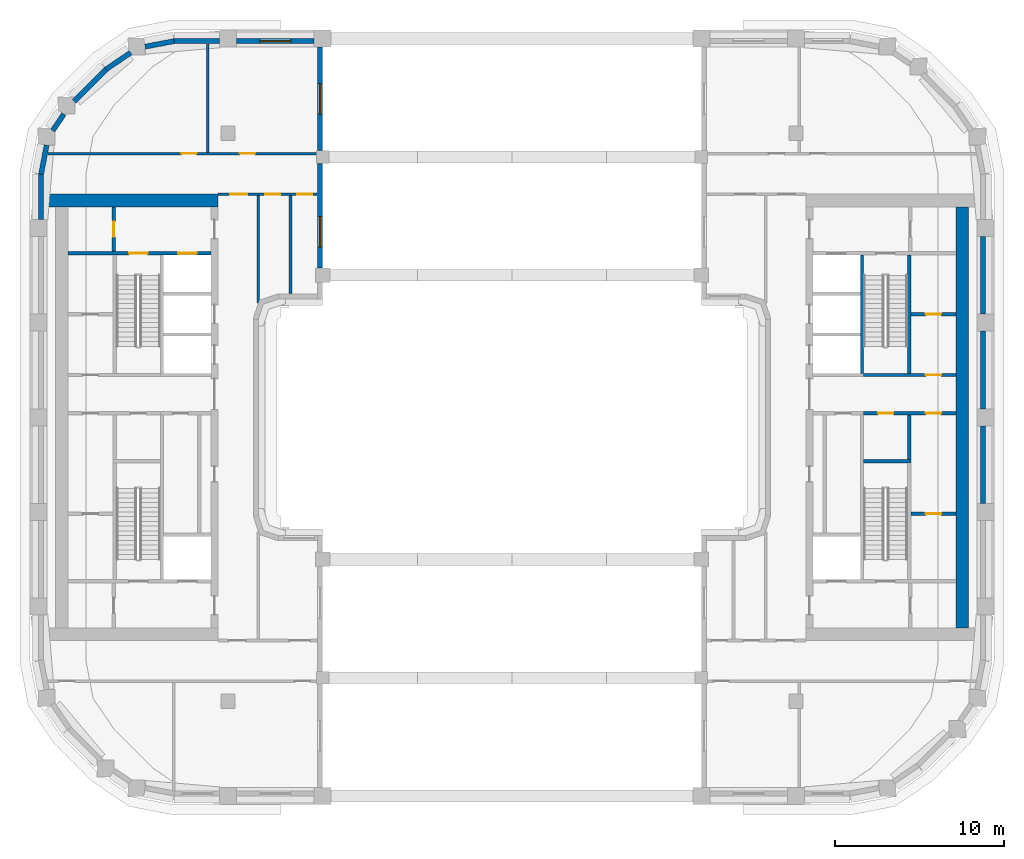
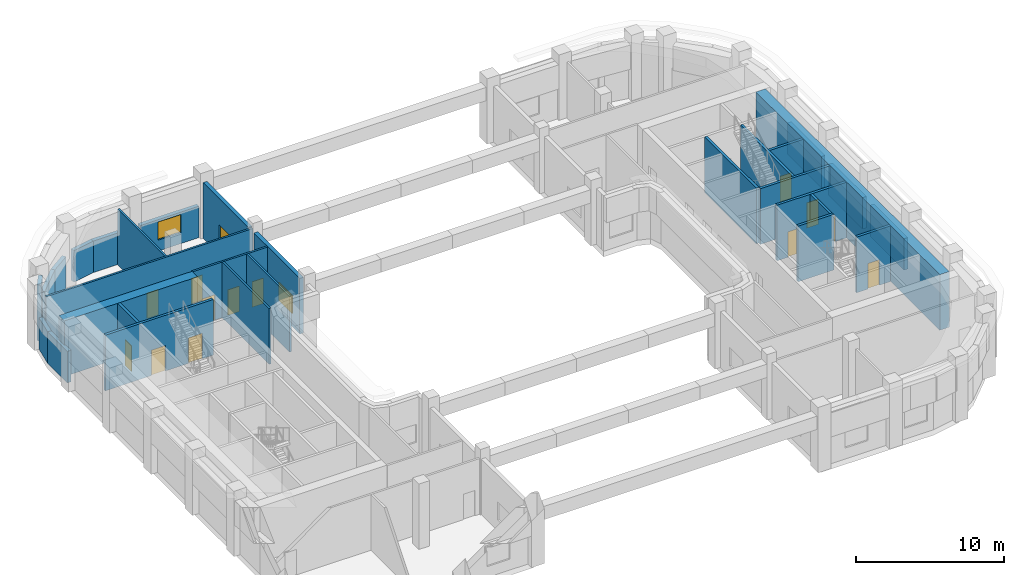
# One storey, part 5 of 14: 30 walls, 13 doors, 3 windows, 16 openings.
"""IFC4 building model written with IfcOpenShell, lengths in metres."""

from ifc_helpers import new_model, si_unit, direction, frame, frame_2d, origin, place, context, subcontext, project, spatial, rectangle, extrude, material, layer, layer_set, type_object, element, fill, save


model = new_model("IFC4")

# Units and contexts
model_context = context("Model", 3, precision=1e-05, world=origin(), true_north=direction((0.0, 1.0)))
body_context = subcontext(model_context, "Body", "Model", "MODEL_VIEW")
ifc_project = project(units=[si_unit("LENGTHUNIT", "METRE"), si_unit("AREAUNIT", "SQUARE_METRE"), si_unit("VOLUMEUNIT", "CUBIC_METRE"), si_unit("PLANEANGLEUNIT", "RADIAN"), si_unit("MASSUNIT", "GRAM", prefix="KILO")], contexts=[model_context])

# Site, building, storey
site_placement = place(None, origin())
site = spatial("IfcSite", under=ifc_project, at=site_placement, CompositionType="ELEMENT")
building_placement = place(site_placement, origin())
building = spatial("IfcBuilding", under=site, at=building_placement, Name="Kiln Ring Residences", CompositionType="ELEMENT")
storey_placement = place(building_placement, frame((0.0, 0.0, 183.5)))
storey = spatial("IfcBuildingStorey", under=building, at=storey_placement, Name="L47", CompositionType="ELEMENT", Elevation=183.5)

# Wall, opening, door
ifc_material_1 = material(Name="Gypsum board on steel studs", Category="steel")
ifc_layer_1 = layer(ifc_material_1, 0.199951171875)
ifc_layer_set_1 = layer_set([ifc_layer_1], Name="CORE-PARTITION-200")
wall_type_1 = type_object("IfcWallType", Name="CORE-PARTITION-200", PredefinedType="PARTITIONING", material=ifc_layer_set_1)
wall_1_placement = place(storey_placement, frame((-23.550048828125, 9.800048828125, 0.0), z_axis=(0.0, 0.0, 1.0), x_axis=(0.0, 1.0, 0.0)))
wall_1 = element("IfcWall", 1, at=wall_1_placement, inside=storey, type_object=wall_type_1, Name="Core partition west L47 4", PredefinedType="PARTITIONING", context=body_context, shape_type="SweptSolid", body=[
    extrude(rectangle(XDim=2.64990234375, YDim=0.199951171875, at=frame_2d((1.324951171875, 0.0))), origin(), (0.0, 0.0, 1.0), 4.60009765625),
])
opening_1_placement = place(wall_1_placement, frame((0.875, 0.0, 0.0)))
opening_1 = element("IfcOpeningElement", 2, at=opening_1_placement, cuts=wall_1, Name="Opening L47-CW09", PredefinedType="OPENING", context=body_context, shape_type="SweptSolid", body=[
    extrude(rectangle(XDim=0.89990234375, YDim=2.10009765625, at=frame_2d((0.449951171875, 1.050048828125))), frame((0.0, 0.10986328125, 0.0), z_axis=(0.0, -1.0, 0.0), x_axis=(1.0, 0.0, 0.0)), (0.0, 0.0, 1.0), 0.219970703125),
])
ifc_material_2 = material(Name="Steel door leaf", Category="steel")
door_type_1 = type_object("IfcDoorType", Name="CORE-DOOR-ROOM", OperationType="SINGLE_SWING_LEFT", PredefinedType="DOOR", material=ifc_material_2)
door_1_placement = place(opening_1_placement, origin())
door_1 = element("IfcDoor", 3, at=door_1_placement, inside=storey, type_object=door_type_1, Name="Fire riser room L47-CW09", OperationType="SINGLE_SWING_LEFT", OverallHeight=2.10009765625, OverallWidth=0.89990234375, PredefinedType="DOOR", context=body_context, shape_type="SweptSolid", body=[
    extrude(rectangle(XDim=0.89990234375, YDim=2.10009765625, at=frame_2d((0.449951171875, 1.050048828125))), frame((0.0, 0.02490234375, 0.0), z_axis=(0.0, -1.0, 0.0), x_axis=(1.0, 0.0, 0.0)), (0.0, 0.0, 1.0), 0.050048828125),
])
fill(opening_1, door_1)

# Wall
wall_2_placement = place(storey_placement, frame((23.5, -2.5, 0.0), z_axis=(0.0, 0.0, 1.0), x_axis=(0.0, 1.0, 0.0)))
element("IfcWall", 4, at=wall_2_placement, inside=storey, type_object=wall_type_1, Name="Core partition east L47 1", PredefinedType="PARTITIONING", context=body_context, shape_type="SweptSolid", body=[
    extrude(rectangle(XDim=2.64990234375, YDim=0.199951171875, at=frame_2d((1.324951171875, 0.0))), origin(), (0.0, 0.0, 1.0), 4.60009765625),
])

# Wall, openings, doors
wall_3_placement = place(storey_placement, frame((20.800048828125, 0.25, 0.0), z_axis=(0.0, 0.0, 1.0), x_axis=(1.0, 0.0, 0.0)))
wall_3 = element("IfcWall", 5, at=wall_3_placement, inside=storey, type_object=wall_type_1, Name="Core partition east L47 2", PredefinedType="PARTITIONING", context=body_context, shape_type="SweptSolid", body=[
    extrude(rectangle(XDim=5.449951171875, YDim=0.199951171875, at=frame_2d((2.72509765625, 0.0))), origin(), (0.0, 0.0, 1.0), 4.60009765625),
])
opening_2_placement = place(wall_3_placement, frame((0.85009765625, 0.0, 0.0)))
opening_2 = element("IfcOpeningElement", 6, at=opening_2_placement, cuts=wall_3, Name="Opening L47-CE14", PredefinedType="OPENING", context=body_context, shape_type="SweptSolid", body=[
    extrude(rectangle(XDim=0.89990234375, YDim=2.10009765625, at=frame_2d((0.449951171875, 1.050048828125))), frame((0.0, 0.10986328125, 0.0), z_axis=(0.0, -1.0, 0.0), x_axis=(1.0, 0.0, 0.0)), (0.0, 0.0, 1.0), 0.219970703125),
])
opening_3_placement = place(wall_3_placement, frame((3.675048828125, 0.0, 0.0)))
opening_3 = element("IfcOpeningElement", 7, at=opening_3_placement, cuts=wall_3, Name="Opening L47-CE16", PredefinedType="OPENING", context=body_context, shape_type="SweptSolid", body=[
    extrude(rectangle(XDim=0.89990234375, YDim=2.10009765625, at=frame_2d((0.449951171875, 1.050048828125))), frame((0.0, 0.10986328125, 0.0), z_axis=(0.0, -1.0, 0.0), x_axis=(1.0, 0.0, 0.0)), (0.0, 0.0, 1.0), 0.219970703125),
])
door_2_placement = place(opening_2_placement, origin())
door_2 = element("IfcDoor", 8, at=door_2_placement, inside=storey, type_object=door_type_1, Name="Housekeeping store L47-CE14", OperationType="SINGLE_SWING_LEFT", OverallHeight=2.10009765625, OverallWidth=0.89990234375, PredefinedType="DOOR", context=body_context, shape_type="SweptSolid", body=[
    extrude(rectangle(XDim=0.89990234375, YDim=2.10009765625, at=frame_2d((0.449951171875, 1.050048828125))), frame((0.0, 0.02490234375, 0.0), z_axis=(0.0, -1.0, 0.0), x_axis=(1.0, 0.0, 0.0)), (0.0, 0.0, 1.0), 0.050048828125),
])
fill(opening_2, door_2)
door_3_placement = place(opening_3_placement, origin())
door_3 = element("IfcDoor", 9, at=door_3_placement, inside=storey, type_object=door_type_1, Name="Battery room L47-CE16", OperationType="SINGLE_SWING_LEFT", OverallHeight=2.10009765625, OverallWidth=0.89990234375, PredefinedType="DOOR", context=body_context, shape_type="SweptSolid", body=[
    extrude(rectangle(XDim=0.89990234375, YDim=2.10009765625, at=frame_2d((0.449951171875, 1.050048828125))), frame((0.0, 0.02490234375, 0.0), z_axis=(0.0, -1.0, 0.0), x_axis=(1.0, 0.0, 0.0)), (0.0, 0.0, 1.0), 0.050048828125),
])
fill(opening_3, door_3)

# Wall, opening, door
wall_4_placement = place(storey_placement, frame((23.60009765625, -5.699951171875, 0.0), z_axis=(0.0, 0.0, 1.0), x_axis=(1.0, 0.0, 0.0)))
wall_4 = element("IfcWall", 10, at=wall_4_placement, inside=storey, type_object=wall_type_1, Name="Core partition east L47 6", PredefinedType="PARTITIONING", context=body_context, shape_type="SweptSolid", body=[
    extrude(rectangle(XDim=2.64990234375, YDim=0.199951171875, at=frame_2d((1.324951171875, 0.0))), origin(), (0.0, 0.0, 1.0), 4.60009765625),
])
opening_4_placement = place(wall_4_placement, frame((0.875, 0.0, 0.0)))
opening_4 = element("IfcOpeningElement", 11, at=opening_4_placement, cuts=wall_4, Name="Opening L47-CE15", PredefinedType="OPENING", context=body_context, shape_type="SweptSolid", body=[
    extrude(rectangle(XDim=0.89990234375, YDim=2.10009765625, at=frame_2d((0.449951171875, 1.050048828125))), frame((0.0, 0.10986328125, 0.0), z_axis=(0.0, -1.0, 0.0), x_axis=(1.0, 0.0, 0.0)), (0.0, 0.0, 1.0), 0.219970703125),
])
door_4_placement = place(opening_4_placement, origin())
door_4 = element("IfcDoor", 12, at=door_4_placement, inside=storey, type_object=door_type_1, Name="Battery room L47-CE15", OperationType="SINGLE_SWING_LEFT", OverallHeight=2.10009765625, OverallWidth=0.89990234375, PredefinedType="DOOR", context=body_context, shape_type="SweptSolid", body=[
    extrude(rectangle(XDim=0.89990234375, YDim=2.10009765625, at=frame_2d((0.449951171875, 1.050048828125))), frame((0.0, 0.02490234375, 0.0), z_axis=(0.0, -1.0, 0.0), x_axis=(1.0, 0.0, 0.0)), (0.0, 0.0, 1.0), 0.050048828125),
])
fill(opening_4, door_4)

wall_5_placement = place(storey_placement, frame((23.60009765625, 6.10009765625, 0.0), z_axis=(0.0, 0.0, 1.0), x_axis=(1.0, 0.0, 0.0)))
wall_5 = element("IfcWall", 13, at=wall_5_placement, inside=storey, type_object=wall_type_1, Name="Core partition east L47 7", PredefinedType="PARTITIONING", context=body_context, shape_type="SweptSolid", body=[
    extrude(rectangle(XDim=2.64990234375, YDim=0.199951171875, at=frame_2d((1.324951171875, 0.0))), origin(), (0.0, 0.0, 1.0), 4.60009765625),
])
opening_5_placement = place(wall_5_placement, frame((0.875, 0.0, 0.0)))
opening_5 = element("IfcOpeningElement", 14, at=opening_5_placement, cuts=wall_5, Name="Opening L47-CE17", PredefinedType="OPENING", context=body_context, shape_type="SweptSolid", body=[
    extrude(rectangle(XDim=0.89990234375, YDim=2.10009765625, at=frame_2d((0.449951171875, 1.050048828125))), frame((0.0, 0.10986328125, 0.0), z_axis=(0.0, -1.0, 0.0), x_axis=(1.0, 0.0, 0.0)), (0.0, 0.0, 1.0), 0.219970703125),
])
door_5_placement = place(opening_5_placement, origin())
door_5 = element("IfcDoor", 15, at=door_5_placement, inside=storey, type_object=door_type_1, Name="Electrical plant room L47-CE17", OperationType="SINGLE_SWING_LEFT", OverallHeight=2.10009765625, OverallWidth=0.89990234375, PredefinedType="DOOR", context=body_context, shape_type="SweptSolid", body=[
    extrude(rectangle(XDim=0.89990234375, YDim=2.10009765625, at=frame_2d((0.449951171875, 1.050048828125))), frame((0.0, 0.02490234375, 0.0), z_axis=(0.0, -1.0, 0.0), x_axis=(1.0, 0.0, 0.0)), (0.0, 0.0, 1.0), 0.050048828125),
])
fill(opening_5, door_5)

# Wall, openings, doors
ifc_material_3 = material(Name="Concrete C40/50", Category="concrete")
ifc_layer_2 = layer(ifc_material_3, 0.199951171875)
ifc_layer_set_2 = layer_set([ifc_layer_2], Name="CORE-WALL-RC200")
wall_type_2 = type_object("IfcWallType", Name="CORE-WALL-RC200", PredefinedType="SHEAR", material=ifc_layer_set_2)
wall_6_placement = place(storey_placement, frame((-17.800048828125, 9.699951171875, 0.0), z_axis=(0.0, 0.0, 1.0), x_axis=(-1.0, 0.0, 0.0)))
wall_6 = element("IfcWall", 16, at=wall_6_placement, inside=storey, type_object=wall_type_2, Name="Core wall west L47 9", PredefinedType="SHEAR", context=body_context, shape_type="SweptSolid", body=[
    extrude(rectangle(XDim=8.449951171875, YDim=0.199951171875, at=frame_2d((4.22509765625, 0.0))), origin(), (0.0, 0.0, 1.0), 4.60009765625),
])
opening_6_placement = place(wall_6_placement, frame((0.85009765625, 0.0, 0.0)))
opening_6 = element("IfcOpeningElement", 17, at=opening_6_placement, cuts=wall_6, Name="Opening L47-CW06", PredefinedType="OPENING", context=body_context, shape_type="SweptSolid", body=[
    extrude(rectangle(XDim=1.10009765625, YDim=2.10009765625, at=frame_2d((0.550048828125, 1.050048828125))), frame((0.0, 0.10986328125, 0.0), z_axis=(0.0, -1.0, 0.0), x_axis=(1.0, 0.0, 0.0)), (0.0, 0.0, 1.0), 0.219970703125),
])
opening_7_placement = place(wall_6_placement, frame((3.75, 0.0, 0.0)))
opening_7 = element("IfcOpeningElement", 18, at=opening_7_placement, cuts=wall_6, Name="Opening L47-CW11", PredefinedType="OPENING", context=body_context, shape_type="SweptSolid", body=[
    extrude(rectangle(XDim=1.10009765625, YDim=2.10009765625, at=frame_2d((0.550048828125, 1.050048828125))), frame((0.0, 0.10986328125, 0.0), z_axis=(0.0, -1.0, 0.0), x_axis=(1.0, 0.0, 0.0)), (0.0, 0.0, 1.0), 0.219970703125),
])
ifc_material_4 = material(Name="Steel door leaf", Category="steel")
door_type_2 = type_object("IfcDoorType", Name="CORE-DOOR-LD", OperationType="DOUBLE_DOOR_SLIDING", PredefinedType="DOOR", material=ifc_material_4)
door_6_placement = place(opening_6_placement, origin())
door_6 = element("IfcDoor", 19, at=door_6_placement, inside=storey, type_object=door_type_2, Name="LD W-FF L47-CW06", OperationType="DOUBLE_DOOR_SLIDING", OverallHeight=2.10009765625, OverallWidth=1.10009765625, PredefinedType="DOOR", context=body_context, shape_type="SweptSolid", body=[
    extrude(rectangle(XDim=1.10009765625, YDim=2.10009765625, at=frame_2d((0.550048828125, 1.050048828125))), frame((0.0, 0.02490234375, 0.0), z_axis=(0.0, -1.0, 0.0), x_axis=(1.0, 0.0, 0.0)), (0.0, 0.0, 1.0), 0.050048828125),
])
fill(opening_6, door_6)
ifc_material_5 = material(Name="Steel door leaf", Category="steel")
door_type_3 = type_object("IfcDoorType", Name="CORE-DOOR-STAIR", OperationType="SINGLE_SWING_LEFT", PredefinedType="DOOR", material=ifc_material_5)
door_7_placement = place(opening_7_placement, origin())
door_7 = element("IfcDoor", 20, at=door_7_placement, inside=storey, type_object=door_type_3, Name="Stair W-STN L47-CW11", OperationType="SINGLE_SWING_LEFT", OverallHeight=2.10009765625, OverallWidth=1.10009765625, PredefinedType="DOOR", context=body_context, shape_type="SweptSolid", body=[
    extrude(rectangle(XDim=1.10009765625, YDim=2.10009765625, at=frame_2d((0.550048828125, 1.050048828125))), frame((0.0, 0.02490234375, 0.0), z_axis=(0.0, -1.0, 0.0), x_axis=(1.0, 0.0, 0.0)), (0.0, 0.0, 1.0), 0.050048828125),
])
fill(opening_7, door_7)

# Wall
wall_7_placement = place(storey_placement, frame((20.699951171875, 2.60009765625, 0.0), z_axis=(0.0, 0.0, 1.0), x_axis=(0.0, 1.0, 0.0)))
element("IfcWall", 21, at=wall_7_placement, inside=storey, type_object=wall_type_2, Name="Core wall east L47 1", PredefinedType="SHEAR", context=body_context, shape_type="SweptSolid", body=[
    extrude(rectangle(XDim=7.0, YDim=0.199951171875, at=frame_2d((3.5, 0.0))), origin(), (0.0, 0.0, 1.0), 4.60009765625),
])

# Wall, opening, door
wall_8_placement = place(storey_placement, frame((20.800048828125, 2.5, 0.0), z_axis=(0.0, 0.0, 1.0), x_axis=(1.0, 0.0, 0.0)))
wall_8 = element("IfcWall", 22, at=wall_8_placement, inside=storey, type_object=wall_type_2, Name="Core wall east L47 3", PredefinedType="SHEAR", context=body_context, shape_type="SweptSolid", body=[
    extrude(rectangle(XDim=5.449951171875, YDim=0.199951171875, at=frame_2d((2.72509765625, 0.0))), origin(), (0.0, 0.0, 1.0), 4.60009765625),
])
opening_8_placement = place(wall_8_placement, frame((3.675048828125, 0.0, 0.0)))
opening_8 = element("IfcOpeningElement", 23, at=opening_8_placement, cuts=wall_8, Name="Opening L47-CE18", PredefinedType="OPENING", context=body_context, shape_type="SweptSolid", body=[
    extrude(rectangle(XDim=0.89990234375, YDim=2.10009765625, at=frame_2d((0.449951171875, 1.050048828125))), frame((0.0, 0.10986328125, 0.0), z_axis=(0.0, -1.0, 0.0), x_axis=(1.0, 0.0, 0.0)), (0.0, 0.0, 1.0), 0.219970703125),
])
door_8_placement = place(opening_8_placement, origin())
door_8 = element("IfcDoor", 24, at=door_8_placement, inside=storey, type_object=door_type_1, Name="Comms room L47-CE18", OperationType="SINGLE_SWING_RIGHT", OverallHeight=2.10009765625, OverallWidth=0.89990234375, PredefinedType="DOOR", context=body_context, shape_type="SweptSolid", body=[
    extrude(rectangle(XDim=0.89990234375, YDim=2.10009765625, at=frame_2d((0.449951171875, 1.050048828125))), frame((0.0, 0.02490234375, 0.0), z_axis=(0.0, -1.0, 0.0), x_axis=(1.0, 0.0, 0.0)), (0.0, 0.0, 1.0), 0.050048828125),
])
fill(opening_8, door_8)

# Walls
wall_9_placement = place(storey_placement, frame((23.5, 2.60009765625, 0.0), z_axis=(0.0, 0.0, 1.0), x_axis=(0.0, 1.0, 0.0)))
element("IfcWall", 25, at=wall_9_placement, inside=storey, type_object=wall_type_2, Name="Core wall east L47 10", PredefinedType="SHEAR", context=body_context, shape_type="SweptSolid", body=[
    extrude(rectangle(XDim=7.0, YDim=0.199951171875, at=frame_2d((3.5, 0.0))), origin(), (0.0, 0.0, 1.0), 4.60009765625),
])
wall_10_placement = place(storey_placement, frame((20.800048828125, -2.60009765625, 0.0), z_axis=(0.0, 0.0, 1.0), x_axis=(1.0, 0.0, 0.0)))
element("IfcWall", 26, at=wall_10_placement, inside=storey, type_object=wall_type_2, Name="Core wall east L47 12", PredefinedType="SHEAR", context=body_context, shape_type="SweptSolid", body=[
    extrude(rectangle(XDim=2.800048828125, YDim=0.199951171875, at=frame_2d((1.39990234375, 0.0))), origin(), (0.0, 0.0, 1.0), 4.60009765625),
])
ifc_material_6 = material(Name="Concrete C60/75", Category="concrete")
ifc_layer_3 = layer(ifc_material_6, 0.75)
ifc_layer_set_3 = layer_set([ifc_layer_3], Name="CORE-WALL-RC750")
wall_type_3 = type_object("IfcWallType", Name="CORE-WALL-RC750", PredefinedType="SHEAR", material=ifc_layer_set_3)
wall_11_placement = place(storey_placement, frame((-17.39990234375, 12.824951171875, 0.0), z_axis=(0.0, 0.0, 1.0), x_axis=(-1.0, 0.0, 0.0)))
element("IfcWall", 27, at=wall_11_placement, inside=storey, type_object=wall_type_3, Name="Core wall west L47 4", PredefinedType="SHEAR", context=body_context, shape_type="SweptSolid", body=[
    extrude(rectangle(XDim=10.400146484375, YDim=0.75, at=frame_2d((5.2001953125, 0.0))), origin(), (0.0, 0.0, 1.0), 4.60009765625),
])
wall_12_placement = place(storey_placement, frame((26.625, -12.449951171875, 0.0), z_axis=(0.0, 0.0, 1.0), x_axis=(0.0, 1.0, 0.0)))
element("IfcWall", 28, at=wall_12_placement, inside=storey, type_object=wall_type_3, Name="Core wall east L47 7", PredefinedType="SHEAR", context=body_context, shape_type="SweptSolid", body=[
    extrude(rectangle(XDim=24.89990234375, YDim=0.75, at=frame_2d((12.449951171875, 0.0))), origin(), (0.0, 0.0, 1.0), 4.60009765625),
])

# Wall, opening, window
ifc_material_7 = material(Name="Brick masonry, dark clay brick", Category="masonry")
ifc_layer_4 = layer(ifc_material_7, 0.300048828125)
ifc_layer_set_4 = layer_set([ifc_layer_4], Name="EW-300 BRICK WALL")
wall_type_4 = type_object("IfcWallType", Name="EW-300 BRICK WALL", PredefinedType="SOLIDWALL", material=ifc_layer_set_4)
wall_13_placement = place(storey_placement, frame((-11.35009765625, 8.824951171875, 0.0), z_axis=(0.0, 0.0, 1.0), x_axis=(0.0, 1.0, 0.0)))
wall_13 = element("IfcWall", 29, at=wall_13_placement, inside=storey, type_object=wall_type_4, Name="Facade wall L47 15", PredefinedType="SOLIDWALL", context=body_context, shape_type="SweptSolid", body=[
    extrude(rectangle(XDim=6.199951171875, YDim=0.300048828125, at=frame_2d((3.10009765625, 0.0))), origin(), (0.0, 0.0, 1.0), 4.60009765625),
])
opening_9_placement = place(wall_13_placement, frame((1.25, 0.0, 0.89990234375)))
opening_9 = element("IfcOpeningElement", 30, at=opening_9_placement, cuts=wall_13, Name="Opening LV1", PredefinedType="OPENING", context=body_context, shape_type="SweptSolid", body=[
    extrude(rectangle(XDim=1.800048828125, YDim=1.5, at=frame_2d((0.89990234375, 0.75))), frame((0.0, 0.159912109375, 0.0), z_axis=(0.0, -1.0, 0.0), x_axis=(1.0, 0.0, 0.0)), (0.0, 0.0, 1.0), 0.320068359375),
])
ifc_material_8 = material(Name="Aluminium louvre", Category="aluminium")
window_type = type_object("IfcWindowType", Name="LOUVRED VENT 1800 x 1500", PartitioningType="SINGLE_PANEL", PredefinedType="WINDOW", material=ifc_material_8)
window_1_placement = place(opening_9_placement, origin())
window_1 = element("IfcWindow", 31, at=window_1_placement, inside=storey, type_object=window_type, Name="Louvred vent L47 6", OverallHeight=1.5, OverallWidth=1.800048828125, PartitioningType="SINGLE_PANEL", PredefinedType="WINDOW", context=body_context, shape_type="SweptSolid", body=[
    extrude(rectangle(XDim=1.800048828125, YDim=1.5, at=frame_2d((0.89990234375, 0.75))), frame((0.0, 0.030029296875, 0.0), z_axis=(0.0, -1.0, 0.0), x_axis=(1.0, 0.0, 0.0)), (0.0, 0.0, 1.0), 0.06005859375),
])
fill(opening_9, window_1)

wall_14_placement = place(storey_placement, frame((-11.35009765625, 15.77490234375, 0.0), z_axis=(0.0, 0.0, 1.0), x_axis=(0.0, 1.0, 0.0)))
wall_14 = element("IfcWall", 32, at=wall_14_placement, inside=storey, type_object=wall_type_4, Name="Facade wall L47 16", PredefinedType="SOLIDWALL", context=body_context, shape_type="SweptSolid", body=[
    extrude(rectangle(XDim=6.125, YDim=0.300048828125, at=frame_2d((3.0625, 0.0))), origin(), (0.0, 0.0, 1.0), 4.60009765625),
])
opening_10_placement = place(wall_14_placement, frame((2.16259765625, 0.0, 0.89990234375)))
opening_10 = element("IfcOpeningElement", 33, at=opening_10_placement, cuts=wall_14, Name="Opening LV1", PredefinedType="OPENING", context=body_context, shape_type="SweptSolid", body=[
    extrude(rectangle(XDim=1.800048828125, YDim=1.5, at=frame_2d((0.89990234375, 0.75))), frame((0.0, 0.159912109375, 0.0), z_axis=(0.0, -1.0, 0.0), x_axis=(1.0, 0.0, 0.0)), (0.0, 0.0, 1.0), 0.320068359375),
])
window_2_placement = place(opening_10_placement, origin())
window_2 = element("IfcWindow", 34, at=window_2_placement, inside=storey, type_object=window_type, Name="Louvred vent L47 7", OverallHeight=1.5, OverallWidth=1.800048828125, PartitioningType="SINGLE_PANEL", PredefinedType="WINDOW", context=body_context, shape_type="SweptSolid", body=[
    extrude(rectangle(XDim=1.800048828125, YDim=1.5, at=frame_2d((0.89990234375, 0.75))), frame((0.0, 0.030029296875, 0.0), z_axis=(0.0, -1.0, 0.0), x_axis=(1.0, 0.0, 0.0)), (0.0, 0.0, 1.0), 0.06005859375),
])
fill(opening_10, window_2)

wall_15_placement = place(storey_placement, frame((-11.699951171875, 22.25, 0.0), z_axis=(0.0, 0.0, 1.0), x_axis=(-1.0, 0.0, 0.0)))
wall_15 = element("IfcWall", 35, at=wall_15_placement, inside=storey, type_object=wall_type_4, Name="Facade wall L47 17", PredefinedType="SOLIDWALL", context=body_context, shape_type="SweptSolid", body=[
    extrude(rectangle(XDim=4.60009765625, YDim=0.300048828125, at=frame_2d((2.300048828125, 0.0))), origin(), (0.0, 0.0, 1.0), 2.60009765625),
])
opening_11_placement = place(wall_15_placement, frame((1.39990234375, 0.0, 0.89990234375)))
opening_11 = element("IfcOpeningElement", 36, at=opening_11_placement, cuts=wall_15, Name="Opening LV1", PredefinedType="OPENING", context=body_context, shape_type="SweptSolid", body=[
    extrude(rectangle(XDim=1.800048828125, YDim=1.5, at=frame_2d((0.89990234375, 0.75))), frame((0.0, 0.159912109375, 0.0), z_axis=(0.0, -1.0, 0.0), x_axis=(1.0, 0.0, 0.0)), (0.0, 0.0, 1.0), 0.320068359375),
])
window_3_placement = place(opening_11_placement, origin())
window_3 = element("IfcWindow", 37, at=window_3_placement, inside=storey, type_object=window_type, Name="Louvred vent L47 8", OverallHeight=1.5, OverallWidth=1.800048828125, PartitioningType="SINGLE_PANEL", PredefinedType="WINDOW", context=body_context, shape_type="SweptSolid", body=[
    extrude(rectangle(XDim=1.800048828125, YDim=1.5, at=frame_2d((0.89990234375, 0.75))), frame((0.0, 0.030029296875, 0.0), z_axis=(0.0, -1.0, 0.0), x_axis=(1.0, 0.0, 0.0)), (0.0, 0.0, 1.0), 0.06005859375),
])
fill(opening_11, window_3)

# Walls
wall_16_placement = place(storey_placement, frame((-17.300048828125, 22.25, 0.0), z_axis=(0.0, 0.0, 1.0), x_axis=(-1.0, 0.0, 0.0)))
element("IfcWall", 38, at=wall_16_placement, inside=storey, type_object=wall_type_4, Name="Facade wall L47 18", PredefinedType="SOLIDWALL", context=body_context, shape_type="SweptSolid", body=[
    extrude(rectangle(XDim=2.699951171875, YDim=0.300048828125, at=frame_2d((1.35009765625, 0.0))), origin(), (0.0, 0.0, 1.0), 2.60009765625),
])
for number, where, z_axis, x_axis, name in (
    (39, (-19.971923828125, 22.252685546875, 0.0), (0.0, 0.0, 1.0), (-0.982284988433, -0.187393173565, 0.0), "Facade wall L47 19"),
    (40, (-22.560302734375, 21.56591796875, 0.0), (0.0, 0.0, 1.0), (-0.82707645233, -0.562089443061, 0.0), "Facade wall L47 20"),
):
    element("IfcWall", number, at=place(storey_placement, frame(where, z_axis=z_axis, x_axis=x_axis)), inside=storey, type_object=wall_type_4, Name=name, PredefinedType="SOLIDWALL", context=body_context, shape_type="SweptSolid", body=[
        extrude(rectangle(XDim=1.756103515625, YDim=0.300048828125, at=frame_2d((0.8779296875, 0.0))), origin(), (0.0, 0.0, 1.0), 2.60009765625),
    ])
wall_17_placement = place(storey_placement, frame((-23.990966796875, 20.596923828125, 0.0), z_axis=(0.0, 0.0, 1.0), x_axis=(-0.707106781187, -0.707106781187, 0.0)))
element("IfcWall", 41, at=wall_17_placement, inside=storey, type_object=wall_type_4, Name="Facade wall L47 21", PredefinedType="SOLIDWALL", context=body_context, shape_type="SweptSolid", body=[
    extrude(rectangle(XDim=2.699951171875, YDim=0.300048828125, at=frame_2d((1.35009765625, 0.0))), origin(), (0.0, 0.0, 1.0), 2.60009765625),
])
wall_18_placement = place(storey_placement, frame((-26.50439453125, 17.933837890625, 0.0), z_axis=(0.0, 0.0, 1.0), x_axis=(-0.562145470373, -0.827038372833, 0.0)))
element("IfcWall", 42, at=wall_18_placement, inside=storey, type_object=wall_type_4, Name="Facade wall L47 22", PredefinedType="SOLIDWALL", context=body_context, shape_type="SweptSolid", body=[
    extrude(rectangle(XDim=1.177001953125, YDim=0.300048828125, at=frame_2d((0.58837890625, 0.0))), origin(), (0.0, 0.0, 1.0), 4.60009765625),
])
wall_19_placement = place(storey_placement, frame((-27.523681640625, 16.096923828125, 0.0), z_axis=(0.0, 0.0, 1.0), x_axis=(-0.187259034321, -0.982310569049, 0.0)))
element("IfcWall", 43, at=wall_19_placement, inside=storey, type_object=wall_type_4, Name="Facade wall L47 23", PredefinedType="SOLIDWALL", context=body_context, shape_type="SweptSolid", body=[
    extrude(rectangle(XDim=1.756103515625, YDim=0.300048828125, at=frame_2d((0.8779296875, 0.0))), origin(), (0.0, 0.0, 1.0), 2.60009765625),
])
wall_20_placement = place(storey_placement, frame((-27.85009765625, 14.39990234375, 0.0), z_axis=(0.0, 0.0, 1.0), x_axis=(0.0, -1.0, 0.0)))
element("IfcWall", 44, at=wall_20_placement, inside=storey, type_object=wall_type_4, Name="Facade wall L47 24", PredefinedType="SOLIDWALL", context=body_context, shape_type="SweptSolid", body=[
    extrude(rectangle(XDim=2.699951171875, YDim=0.300048828125, at=frame_2d((1.35009765625, 0.0))), origin(), (0.0, 0.0, 1.0), 2.60009765625),
])
for number, where, z_axis, x_axis, name in (
    (45, (27.85009765625, -5.10009765625, 0.0), (0.0, 0.0, 1.0), (0.0, 1.0, 0.0), "Facade wall L47 43"),
    (46, (27.85009765625, 0.5, 0.0), (0.0, 0.0, 1.0), (0.0, 1.0, 0.0), "Facade wall L47 44"),
):
    element("IfcWall", number, at=place(storey_placement, frame(where, z_axis=z_axis, x_axis=x_axis)), inside=storey, type_object=wall_type_4, Name=name, PredefinedType="SOLIDWALL", context=body_context, shape_type="SweptSolid", body=[
        extrude(rectangle(XDim=4.60009765625, YDim=0.300048828125, at=frame_2d((2.300048828125, 0.0))), origin(), (0.0, 0.0, 1.0), 2.60009765625),
    ])
wall_21_placement = place(storey_placement, frame((27.85009765625, 6.10009765625, 0.0), z_axis=(0.0, 0.0, 1.0), x_axis=(0.0, 1.0, 0.0)))
element("IfcWall", 47, at=wall_21_placement, inside=storey, type_object=wall_type_4, Name="Facade wall L47 45", PredefinedType="SOLIDWALL", context=body_context, shape_type="SweptSolid", body=[
    extrude(rectangle(XDim=4.599853515625, YDim=0.300048828125, at=frame_2d((2.2998046875, 0.0))), origin(), (0.0, 0.0, 1.0), 2.60009765625),
])

# Wall, openings, doors
ifc_material_9 = material(Name="Brick masonry partition", Category="masonry")
ifc_layer_5 = layer(ifc_material_9, 0.14990234375)
ifc_layer_set_5 = layer_set([ifc_layer_5], Name="PARTITION-150-ei60")
wall_type_5 = type_object("IfcWallType", Name="PARTITION-150-ei60", PredefinedType="PARTITIONING", material=ifc_layer_set_5)
wall_22_placement = place(storey_placement, frame((-17.39990234375, 13.199951171875, 0.0), z_axis=(0.0, 0.0, 1.0), x_axis=(1.0, 0.0, 0.0)))
wall_22 = element("IfcWall", 48, at=wall_22_placement, inside=storey, type_object=wall_type_5, Name="Partition 004", PredefinedType="PARTITIONING", context=body_context, shape_type="SweptSolid", body=[
    extrude(rectangle(XDim=5.8798828125, YDim=0.14990234375, at=frame_2d((2.93994140625, 0.0))), origin(), (0.0, 0.0, 1.0), 4.60009765625),
])
opening_12_placement = place(wall_22_placement, frame((0.75, 0.0, 0.0)))
opening_12 = element("IfcOpeningElement", 49, at=opening_12_placement, cuts=wall_22, Name="Opening L47-D005", PredefinedType="OPENING", context=body_context, shape_type="SweptSolid", body=[
    extrude(rectangle(XDim=1.0, YDim=2.10009765625, at=frame_2d((0.5, 1.050048828125))), frame((0.0, 0.0849609375, 0.0), z_axis=(0.0, -1.0, 0.0), x_axis=(1.0, 0.0, 0.0)), (0.0, 0.0, 1.0), 0.169921875),
])
opening_13_placement = place(wall_22_placement, frame((4.699951171875, 0.0, 0.0)))
opening_13 = element("IfcOpeningElement", 50, at=opening_13_placement, cuts=wall_22, Name="Opening L47-D006", PredefinedType="OPENING", context=body_context, shape_type="SweptSolid", body=[
    extrude(rectangle(XDim=0.89990234375, YDim=2.10009765625, at=frame_2d((0.449951171875, 1.050048828125))), frame((0.0, 0.0849609375, 0.0), z_axis=(0.0, -1.0, 0.0), x_axis=(1.0, 0.0, 0.0)), (0.0, 0.0, 1.0), 0.169921875),
])
opening_14_placement = place(wall_22_placement, frame((2.800048828125, 0.0, 0.0)))
opening_14 = element("IfcOpeningElement", 51, at=opening_14_placement, cuts=wall_22, Name="Opening L47-D007", PredefinedType="OPENING", context=body_context, shape_type="SweptSolid", body=[
    extrude(rectangle(XDim=0.89990234375, YDim=2.10009765625, at=frame_2d((0.449951171875, 1.050048828125))), frame((0.0, 0.0849609375, 0.0), z_axis=(0.0, -1.0, 0.0), x_axis=(1.0, 0.0, 0.0)), (0.0, 0.0, 1.0), 0.169921875),
])
ifc_material_10 = material(Name="Steel faced fire door leaf", Category="steel")
door_type_4 = type_object("IfcDoorType", Name="FLAT-DOOR-1000-FR", OperationType="SINGLE_SWING_LEFT", PredefinedType="DOOR", material=ifc_material_10)
door_9_placement = place(opening_12_placement, origin())
door_9 = element("IfcDoor", 52, at=door_9_placement, inside=storey, type_object=door_type_4, Name="Door L47-D005", OperationType="SINGLE_SWING_RIGHT", OverallHeight=2.10009765625, OverallWidth=1.0, PredefinedType="DOOR", context=body_context, shape_type="SweptSolid", body=[
    extrude(rectangle(XDim=1.0, YDim=2.10009765625, at=frame_2d((0.5, 1.050048828125))), frame((0.0, 0.02490234375, 0.0), z_axis=(0.0, -1.0, 0.0), x_axis=(1.0, 0.0, 0.0)), (0.0, 0.0, 1.0), 0.050048828125),
])
fill(opening_12, door_9)
ifc_material_11 = material(Name="Steel faced fire door leaf", Category="steel")
door_type_5 = type_object("IfcDoorType", Name="FLAT-DOOR-900-FR", OperationType="SINGLE_SWING_LEFT", PredefinedType="DOOR", material=ifc_material_11)
door_10_placement = place(opening_13_placement, origin())
door_10 = element("IfcDoor", 53, at=door_10_placement, inside=storey, type_object=door_type_5, Name="Door L47-D006", OperationType="SINGLE_SWING_RIGHT", OverallHeight=2.10009765625, OverallWidth=0.89990234375, PredefinedType="DOOR", context=body_context, shape_type="SweptSolid", body=[
    extrude(rectangle(XDim=0.89990234375, YDim=2.10009765625, at=frame_2d((0.449951171875, 1.050048828125))), frame((0.0, 0.02490234375, 0.0), z_axis=(0.0, -1.0, 0.0), x_axis=(1.0, 0.0, 0.0)), (0.0, 0.0, 1.0), 0.050048828125),
])
fill(opening_13, door_10)
door_11_placement = place(opening_14_placement, origin())
door_11 = element("IfcDoor", 54, at=door_11_placement, inside=storey, type_object=door_type_5, Name="Door L47-D007", OperationType="SINGLE_SWING_LEFT", OverallHeight=2.10009765625, OverallWidth=0.89990234375, PredefinedType="DOOR", context=body_context, shape_type="SweptSolid", body=[
    extrude(rectangle(XDim=0.89990234375, YDim=2.10009765625, at=frame_2d((0.449951171875, 1.050048828125))), frame((0.0, 0.02490234375, 0.0), z_axis=(0.0, -1.0, 0.0), x_axis=(1.0, 0.0, 0.0)), (0.0, 0.0, 1.0), 0.050048828125),
])
fill(opening_14, door_11)

wall_23_placement = place(storey_placement, frame((-27.44580078125, 15.60009765625, 0.0), z_axis=(0.0, 0.0, 1.0), x_axis=(1.0, 0.0, 0.0)))
wall_23 = element("IfcWall", 55, at=wall_23_placement, inside=storey, type_object=wall_type_5, Name="Partition 006", PredefinedType="PARTITIONING", context=body_context, shape_type="SweptSolid", body=[
    extrude(rectangle(XDim=16.15576171875, YDim=0.14990234375, at=frame_2d((8.077880859375, 0.0))), origin(), (0.0, 0.0, 1.0), 4.60009765625),
])
opening_15_placement = place(wall_23_placement, frame((11.355712890625, 0.0, 0.0)))
opening_15 = element("IfcOpeningElement", 56, at=opening_15_placement, cuts=wall_23, Name="Opening L47-D008", PredefinedType="OPENING", context=body_context, shape_type="SweptSolid", body=[
    extrude(rectangle(XDim=0.89990234375, YDim=2.10009765625, at=frame_2d((0.449951171875, 1.050048828125))), frame((0.0, 0.0849609375, 0.0), z_axis=(0.0, -1.0, 0.0), x_axis=(1.0, 0.0, 0.0)), (0.0, 0.0, 1.0), 0.169921875),
])
opening_16_placement = place(wall_23_placement, frame((7.895751953125, 0.0, 0.0)))
opening_16 = element("IfcOpeningElement", 57, at=opening_16_placement, cuts=wall_23, Name="Opening L47-D009", PredefinedType="OPENING", context=body_context, shape_type="SweptSolid", body=[
    extrude(rectangle(XDim=0.89990234375, YDim=2.10009765625, at=frame_2d((0.449951171875, 1.050048828125))), frame((0.0, 0.0849609375, 0.0), z_axis=(0.0, -1.0, 0.0), x_axis=(1.0, 0.0, 0.0)), (0.0, 0.0, 1.0), 0.169921875),
])
door_12_placement = place(opening_15_placement, origin())
door_12 = element("IfcDoor", 58, at=door_12_placement, inside=storey, type_object=door_type_5, Name="Door L47-D008", OperationType="SINGLE_SWING_RIGHT", OverallHeight=2.10009765625, OverallWidth=0.89990234375, PredefinedType="DOOR", context=body_context, shape_type="SweptSolid", body=[
    extrude(rectangle(XDim=0.89990234375, YDim=2.10009765625, at=frame_2d((0.449951171875, 1.050048828125))), frame((0.0, 0.02490234375, 0.0), z_axis=(0.0, -1.0, 0.0), x_axis=(1.0, 0.0, 0.0)), (0.0, 0.0, 1.0), 0.050048828125),
])
fill(opening_15, door_12)
door_13_placement = place(opening_16_placement, origin())
door_13 = element("IfcDoor", 59, at=door_13_placement, inside=storey, type_object=door_type_5, Name="Door L47-D009", OperationType="SINGLE_SWING_LEFT", OverallHeight=2.10009765625, OverallWidth=0.89990234375, PredefinedType="DOOR", context=body_context, shape_type="SweptSolid", body=[
    extrude(rectangle(XDim=0.89990234375, YDim=2.10009765625, at=frame_2d((0.449951171875, 1.050048828125))), frame((0.0, 0.02490234375, 0.0), z_axis=(0.0, -1.0, 0.0), x_axis=(1.0, 0.0, 0.0)), (0.0, 0.0, 1.0), 0.050048828125),
])
fill(opening_16, door_13)

# Walls
wall_24_placement = place(storey_placement, frame((-18.0, 15.675048828125, 0.0), z_axis=(0.0, 0.0, 1.0), x_axis=(0.0, 1.0, 0.0)))
element("IfcWall", 60, at=wall_24_placement, inside=storey, type_object=wall_type_5, Name="Partition 009", PredefinedType="PARTITIONING", context=body_context, shape_type="SweptSolid", body=[
    extrude(rectangle(XDim=6.405029296875, YDim=0.14990234375, at=frame_2d((3.20263671875, 0.0))), origin(), (0.0, 0.0, 1.0), 4.60009765625),
])
wall_25_placement = place(storey_placement, frame((-15.0, 6.768798828125, 0.0), z_axis=(0.0, 0.0, 1.0), x_axis=(0.0, 1.0, 0.0)))
element("IfcWall", 61, at=wall_25_placement, inside=storey, type_object=wall_type_5, Name="Partition 011", PredefinedType="PARTITIONING", context=body_context, shape_type="SweptSolid", body=[
    extrude(rectangle(XDim=6.356201171875, YDim=0.14990234375, at=frame_2d((3.17822265625, 0.0))), origin(), (0.0, 0.0, 1.0), 4.60009765625),
])
wall_26_placement = place(storey_placement, frame((-13.10009765625, 7.320068359375, 0.0), z_axis=(0.0, 0.0, 1.0), x_axis=(0.0, 1.0, 0.0)))
element("IfcWall", 62, at=wall_26_placement, inside=storey, type_object=wall_type_5, Name="Partition 012", PredefinedType="PARTITIONING", context=body_context, shape_type="SweptSolid", body=[
    extrude(rectangle(XDim=5.804931640625, YDim=0.14990234375, at=frame_2d((2.90234375, 0.0))), origin(), (0.0, 0.0, 1.0), 4.60009765625),
])

save(model, "model.ifc")
